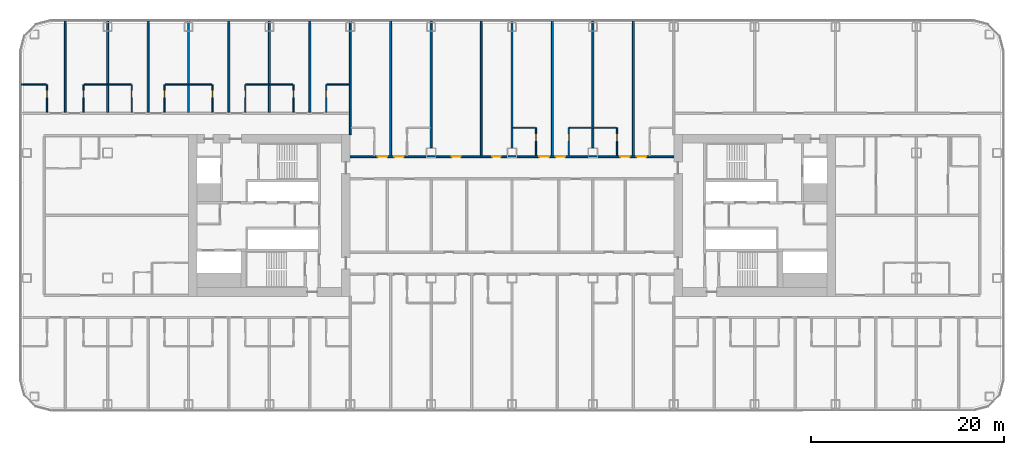
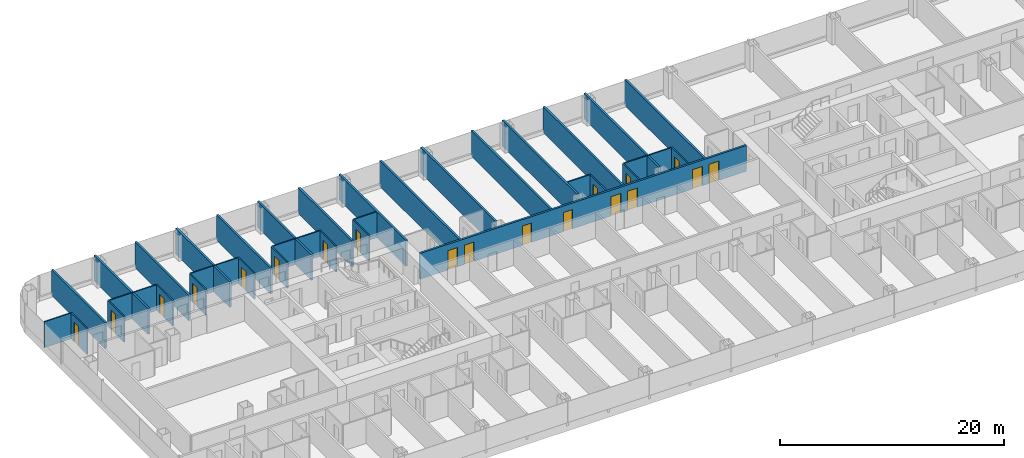
# One storey, part 17 of 29: 34 walls, 19 doors, 19 openings.
"""IFC4 building model written with IfcOpenShell, lengths in metres."""

from ifc_helpers import new_model, si_unit, direction, frame, frame_2d, origin, place, context, subcontext, project, spatial, rectangle, extrude, material, layer, layer_set, type_object, element, fill, save


model = new_model("IFC4")

# Units and contexts
model_context = context("Model", 3, precision=1e-05, world=origin(), true_north=direction((0.0, 1.0)))
body_context = subcontext(model_context, "Body", "Model", "MODEL_VIEW")
ifc_project = project(units=[si_unit("LENGTHUNIT", "METRE"), si_unit("AREAUNIT", "SQUARE_METRE"), si_unit("VOLUMEUNIT", "CUBIC_METRE"), si_unit("PLANEANGLEUNIT", "RADIAN"), si_unit("MASSUNIT", "GRAM", prefix="KILO")], contexts=[model_context])

# Site, building, storey
site_placement = place(None, origin())
site = spatial("IfcSite", under=ifc_project, at=site_placement, CompositionType="ELEMENT")
building_placement = place(site_placement, origin())
building = spatial("IfcBuilding", under=site, at=building_placement, Name="Hakoniwa Tower and Hamabe Station Hall", CompositionType="ELEMENT")
storey_placement = place(building_placement, frame((0.0, 0.0, 55.0)))
storey = spatial("IfcBuildingStorey", under=building, at=storey_placement, Name="L15", CompositionType="ELEMENT", Elevation=55.0)

# Walls
ifc_material_1 = material(Name="Gypsum board partition", Category="gypsum")
ifc_layer_1 = layer(ifc_material_1, 0.125)
ifc_layer_set_1 = layer_set([ifc_layer_1], Name="Bathroom Partition 125")
wall_type_1 = type_object("IfcWallType", Name="Bathroom Partition 125", PredefinedType="PARTITIONING", material=ifc_layer_set_1)
wall_1_placement = place(storey_placement, frame((0.10009765625, 9.10009765625, 0.0), z_axis=(0.0, 0.0, 1.0), x_axis=(1.0, 0.0, 0.0)))
element("IfcWall", 1, at=wall_1_placement, inside=storey, type_object=wall_type_1, Name="GW-L15-037", PredefinedType="PARTITIONING", context=body_context, shape_type="SweptSolid", body=[
    extrude(rectangle(XDim=2.33740234375, YDim=0.125, at=frame_2d((1.168701171875, 0.0))), origin(), (0.0, 0.0, 1.0), 2.800048828125),
])
wall_2_placement = place(storey_placement, frame((5.96240234375, 9.10009765625, 0.0), z_axis=(0.0, 0.0, 1.0), x_axis=(1.0, 0.0, 0.0)))
element("IfcWall", 2, at=wall_2_placement, inside=storey, type_object=wall_type_1, Name="GW-L15-038", PredefinedType="PARTITIONING", context=body_context, shape_type="SweptSolid", body=[
    extrude(rectangle(XDim=4.875, YDim=0.125, at=frame_2d((2.4375, 0.0))), origin(), (0.0, 0.0, 1.0), 2.800048828125),
])
wall_3_placement = place(storey_placement, frame((-51.10009765625, 13.60009765625, 0.0), z_axis=(0.0, 0.0, 1.0), x_axis=(1.0, 0.0, 0.0)))
element("IfcWall", 3, at=wall_3_placement, inside=storey, type_object=wall_type_1, Name="GW-L15-042", PredefinedType="PARTITIONING", context=body_context, shape_type="SweptSolid", body=[
    extrude(rectangle(XDim=2.737548828125, YDim=0.125, at=frame_2d((1.36865234375, 0.0))), origin(), (0.0, 0.0, 1.0), 2.800048828125),
])
for number, where, z_axis, x_axis, name in (
    (4, (-44.4375, 13.60009765625, 0.0), (0.0, 0.0, 1.0), (1.0, 0.0, 0.0), "GW-L15-043"),
    (5, (-36.03759765625, 13.60009765625, 0.0), (0.0, 0.0, 1.0), (1.0, 0.0, 0.0), "GW-L15-044"),
    (6, (-27.637451171875, 13.60009765625, 0.0), (0.0, 0.0, 1.0), (1.0, 0.0, 0.0), "GW-L15-045"),
):
    element("IfcWall", number, at=place(storey_placement, frame(where, z_axis=z_axis, x_axis=x_axis)), inside=storey, type_object=wall_type_1, Name=name, PredefinedType="PARTITIONING", context=body_context, shape_type="SweptSolid", body=[
        extrude(rectangle(XDim=4.875, YDim=0.125, at=frame_2d((2.4375, 0.0))), origin(), (0.0, 0.0, 1.0), 2.800048828125),
    ])
wall_4_placement = place(storey_placement, frame((-19.237548828125, 13.60009765625, 0.0), z_axis=(0.0, 0.0, 1.0), x_axis=(1.0, 0.0, 0.0)))
element("IfcWall", 7, at=wall_4_placement, inside=storey, type_object=wall_type_1, Name="GW-L15-046", PredefinedType="PARTITIONING", context=body_context, shape_type="SweptSolid", body=[
    extrude(rectangle(XDim=2.337646484375, YDim=0.125, at=frame_2d((1.1689453125, 0.0))), origin(), (0.0, 0.0, 1.0), 2.800048828125),
])

# Wall, opening, door
wall_5_placement = place(storey_placement, frame((-48.300048828125, 10.699951171875, 0.0), z_axis=(0.0, 0.0, 1.0), x_axis=(0.0, 1.0, 0.0)))
wall_5 = element("IfcWall", 8, at=wall_5_placement, inside=storey, type_object=wall_type_1, Name="GW-L15-049", PredefinedType="PARTITIONING", context=body_context, shape_type="SweptSolid", body=[
    extrude(rectangle(XDim=2.900146484375, YDim=0.125, at=frame_2d((1.4501953125, 0.0))), origin(), (0.0, 0.0, 1.0), 2.800048828125),
])
opening_1_placement = place(wall_5_placement, frame((1.5, 0.0, 0.0)))
opening_1 = element("IfcOpeningElement", 9, at=opening_1_placement, cuts=wall_5, Name="Opening GD-G1B2-68", PredefinedType="OPENING", context=body_context, shape_type="SweptSolid", body=[
    extrude(rectangle(XDim=0.800048828125, YDim=2.10009765625, at=frame_2d((0.39990234375, 1.050048828125))), frame((0.0, 0.072509765625, 0.0), z_axis=(0.0, -1.0, 0.0), x_axis=(1.0, 0.0, 0.0)), (0.0, 0.0, 1.0), 0.14501953125),
])
ifc_material_2 = material(Name="Timber door leaf", Category="wood")
door_type_1 = type_object("IfcDoorType", Name="Bathroom Door 800", OperationType="SINGLE_SWING_LEFT", PredefinedType="DOOR", material=ifc_material_2)
door_1_placement = place(opening_1_placement, origin())
door_1 = element("IfcDoor", 10, at=door_1_placement, inside=storey, type_object=door_type_1, Name="Door GD-G1B2-68", OperationType="SINGLE_SWING_LEFT", OverallHeight=2.10009765625, OverallWidth=0.800048828125, PredefinedType="DOOR", context=body_context, shape_type="SweptSolid", body=[
    extrude(rectangle(XDim=0.800048828125, YDim=2.10009765625, at=frame_2d((0.39990234375, 1.050048828125))), frame((0.0, 0.02490234375, 0.0), z_axis=(0.0, -1.0, 0.0), x_axis=(1.0, 0.0, 0.0)), (0.0, 0.0, 1.0), 0.050048828125),
])
fill(opening_1, door_1)

wall_6_placement = place(storey_placement, frame((-44.5, 10.699951171875, 0.0), z_axis=(0.0, 0.0, 1.0), x_axis=(0.0, 1.0, 0.0)))
wall_6 = element("IfcWall", 11, at=wall_6_placement, inside=storey, type_object=wall_type_1, Name="GW-L15-054", PredefinedType="PARTITIONING", context=body_context, shape_type="SweptSolid", body=[
    extrude(rectangle(XDim=2.900146484375, YDim=0.125, at=frame_2d((1.4501953125, 0.0))), origin(), (0.0, 0.0, 1.0), 2.800048828125),
])
opening_2_placement = place(wall_6_placement, frame((1.5, 0.0, 0.0)))
opening_2 = element("IfcOpeningElement", 12, at=opening_2_placement, cuts=wall_6, Name="Opening GD-G1B2-70", PredefinedType="OPENING", context=body_context, shape_type="SweptSolid", body=[
    extrude(rectangle(XDim=0.800048828125, YDim=2.10009765625, at=frame_2d((0.39990234375, 1.050048828125))), frame((0.0, 0.072509765625, 0.0), z_axis=(0.0, -1.0, 0.0), x_axis=(1.0, 0.0, 0.0)), (0.0, 0.0, 1.0), 0.14501953125),
])
door_2_placement = place(opening_2_placement, origin())
door_2 = element("IfcDoor", 13, at=door_2_placement, inside=storey, type_object=door_type_1, Name="Door GD-G1B2-70", OperationType="SINGLE_SWING_RIGHT", OverallHeight=2.10009765625, OverallWidth=0.800048828125, PredefinedType="DOOR", context=body_context, shape_type="SweptSolid", body=[
    extrude(rectangle(XDim=0.800048828125, YDim=2.10009765625, at=frame_2d((0.39990234375, 1.050048828125))), frame((0.0, 0.02490234375, 0.0), z_axis=(0.0, -1.0, 0.0), x_axis=(1.0, 0.0, 0.0)), (0.0, 0.0, 1.0), 0.050048828125),
])
fill(opening_2, door_2)

wall_7_placement = place(storey_placement, frame((-39.5, 10.699951171875, 0.0), z_axis=(0.0, 0.0, 1.0), x_axis=(0.0, 1.0, 0.0)))
wall_7 = element("IfcWall", 14, at=wall_7_placement, inside=storey, type_object=wall_type_1, Name="GW-L15-059", PredefinedType="PARTITIONING", context=body_context, shape_type="SweptSolid", body=[
    extrude(rectangle(XDim=2.900146484375, YDim=0.125, at=frame_2d((1.4501953125, 0.0))), origin(), (0.0, 0.0, 1.0), 2.800048828125),
])
opening_3_placement = place(wall_7_placement, frame((1.5, 0.0, 0.0)))
opening_3 = element("IfcOpeningElement", 15, at=opening_3_placement, cuts=wall_7, Name="Opening GD-G1B2-72", PredefinedType="OPENING", context=body_context, shape_type="SweptSolid", body=[
    extrude(rectangle(XDim=0.800048828125, YDim=2.10009765625, at=frame_2d((0.39990234375, 1.050048828125))), frame((0.0, 0.072509765625, 0.0), z_axis=(0.0, -1.0, 0.0), x_axis=(1.0, 0.0, 0.0)), (0.0, 0.0, 1.0), 0.14501953125),
])
door_3_placement = place(opening_3_placement, origin())
door_3 = element("IfcDoor", 16, at=door_3_placement, inside=storey, type_object=door_type_1, Name="Door GD-G1B2-72", OperationType="SINGLE_SWING_LEFT", OverallHeight=2.10009765625, OverallWidth=0.800048828125, PredefinedType="DOOR", context=body_context, shape_type="SweptSolid", body=[
    extrude(rectangle(XDim=0.800048828125, YDim=2.10009765625, at=frame_2d((0.39990234375, 1.050048828125))), frame((0.0, 0.02490234375, 0.0), z_axis=(0.0, -1.0, 0.0), x_axis=(1.0, 0.0, 0.0)), (0.0, 0.0, 1.0), 0.050048828125),
])
fill(opening_3, door_3)

wall_8_placement = place(storey_placement, frame((-36.10009765625, 10.699951171875, 0.0), z_axis=(0.0, 0.0, 1.0), x_axis=(0.0, 1.0, 0.0)))
wall_8 = element("IfcWall", 17, at=wall_8_placement, inside=storey, type_object=wall_type_1, Name="GW-L15-065", PredefinedType="PARTITIONING", context=body_context, shape_type="SweptSolid", body=[
    extrude(rectangle(XDim=2.900146484375, YDim=0.125, at=frame_2d((1.4501953125, 0.0))), origin(), (0.0, 0.0, 1.0), 2.800048828125),
])
opening_4_placement = place(wall_8_placement, frame((1.5, 0.0, 0.0)))
opening_4 = element("IfcOpeningElement", 18, at=opening_4_placement, cuts=wall_8, Name="Opening GD-G1B2-74", PredefinedType="OPENING", context=body_context, shape_type="SweptSolid", body=[
    extrude(rectangle(XDim=0.800048828125, YDim=2.10009765625, at=frame_2d((0.39990234375, 1.050048828125))), frame((0.0, 0.072509765625, 0.0), z_axis=(0.0, -1.0, 0.0), x_axis=(1.0, 0.0, 0.0)), (0.0, 0.0, 1.0), 0.14501953125),
])
door_4_placement = place(opening_4_placement, origin())
door_4 = element("IfcDoor", 19, at=door_4_placement, inside=storey, type_object=door_type_1, Name="Door GD-G1B2-74", OperationType="SINGLE_SWING_RIGHT", OverallHeight=2.10009765625, OverallWidth=0.800048828125, PredefinedType="DOOR", context=body_context, shape_type="SweptSolid", body=[
    extrude(rectangle(XDim=0.800048828125, YDim=2.10009765625, at=frame_2d((0.39990234375, 1.050048828125))), frame((0.0, 0.02490234375, 0.0), z_axis=(0.0, -1.0, 0.0), x_axis=(1.0, 0.0, 0.0)), (0.0, 0.0, 1.0), 0.050048828125),
])
fill(opening_4, door_4)

wall_9_placement = place(storey_placement, frame((-31.10009765625, 10.699951171875, 0.0), z_axis=(0.0, 0.0, 1.0), x_axis=(0.0, 1.0, 0.0)))
wall_9 = element("IfcWall", 20, at=wall_9_placement, inside=storey, type_object=wall_type_1, Name="GW-L15-069", PredefinedType="PARTITIONING", context=body_context, shape_type="SweptSolid", body=[
    extrude(rectangle(XDim=2.900146484375, YDim=0.125, at=frame_2d((1.4501953125, 0.0))), origin(), (0.0, 0.0, 1.0), 2.800048828125),
])
opening_5_placement = place(wall_9_placement, frame((1.5, 0.0, 0.0)))
opening_5 = element("IfcOpeningElement", 21, at=opening_5_placement, cuts=wall_9, Name="Opening GD-G1B2-76", PredefinedType="OPENING", context=body_context, shape_type="SweptSolid", body=[
    extrude(rectangle(XDim=0.800048828125, YDim=2.10009765625, at=frame_2d((0.39990234375, 1.050048828125))), frame((0.0, 0.072509765625, 0.0), z_axis=(0.0, -1.0, 0.0), x_axis=(1.0, 0.0, 0.0)), (0.0, 0.0, 1.0), 0.14501953125),
])
door_5_placement = place(opening_5_placement, origin())
door_5 = element("IfcDoor", 22, at=door_5_placement, inside=storey, type_object=door_type_1, Name="Door GD-G1B2-76", OperationType="SINGLE_SWING_LEFT", OverallHeight=2.10009765625, OverallWidth=0.800048828125, PredefinedType="DOOR", context=body_context, shape_type="SweptSolid", body=[
    extrude(rectangle(XDim=0.800048828125, YDim=2.10009765625, at=frame_2d((0.39990234375, 1.050048828125))), frame((0.0, 0.02490234375, 0.0), z_axis=(0.0, -1.0, 0.0), x_axis=(1.0, 0.0, 0.0)), (0.0, 0.0, 1.0), 0.050048828125),
])
fill(opening_5, door_5)

wall_10_placement = place(storey_placement, frame((-27.699951171875, 10.699951171875, 0.0), z_axis=(0.0, 0.0, 1.0), x_axis=(0.0, 1.0, 0.0)))
wall_10 = element("IfcWall", 23, at=wall_10_placement, inside=storey, type_object=wall_type_1, Name="GW-L15-073", PredefinedType="PARTITIONING", context=body_context, shape_type="SweptSolid", body=[
    extrude(rectangle(XDim=2.900146484375, YDim=0.125, at=frame_2d((1.4501953125, 0.0))), origin(), (0.0, 0.0, 1.0), 2.800048828125),
])
opening_6_placement = place(wall_10_placement, frame((1.5, 0.0, 0.0)))
opening_6 = element("IfcOpeningElement", 24, at=opening_6_placement, cuts=wall_10, Name="Opening GD-G1B2-78", PredefinedType="OPENING", context=body_context, shape_type="SweptSolid", body=[
    extrude(rectangle(XDim=0.800048828125, YDim=2.10009765625, at=frame_2d((0.39990234375, 1.050048828125))), frame((0.0, 0.072509765625, 0.0), z_axis=(0.0, -1.0, 0.0), x_axis=(1.0, 0.0, 0.0)), (0.0, 0.0, 1.0), 0.14501953125),
])
door_6_placement = place(opening_6_placement, origin())
door_6 = element("IfcDoor", 25, at=door_6_placement, inside=storey, type_object=door_type_1, Name="Door GD-G1B2-78", OperationType="SINGLE_SWING_RIGHT", OverallHeight=2.10009765625, OverallWidth=0.800048828125, PredefinedType="DOOR", context=body_context, shape_type="SweptSolid", body=[
    extrude(rectangle(XDim=0.800048828125, YDim=2.10009765625, at=frame_2d((0.39990234375, 1.050048828125))), frame((0.0, 0.02490234375, 0.0), z_axis=(0.0, -1.0, 0.0), x_axis=(1.0, 0.0, 0.0)), (0.0, 0.0, 1.0), 0.050048828125),
])
fill(opening_6, door_6)

wall_11_placement = place(storey_placement, frame((-22.699951171875, 10.699951171875, 0.0), z_axis=(0.0, 0.0, 1.0), x_axis=(0.0, 1.0, 0.0)))
wall_11 = element("IfcWall", 26, at=wall_11_placement, inside=storey, type_object=wall_type_1, Name="GW-L15-077", PredefinedType="PARTITIONING", context=body_context, shape_type="SweptSolid", body=[
    extrude(rectangle(XDim=2.900146484375, YDim=0.125, at=frame_2d((1.4501953125, 0.0))), origin(), (0.0, 0.0, 1.0), 2.800048828125),
])
opening_7_placement = place(wall_11_placement, frame((1.5, 0.0, 0.0)))
opening_7 = element("IfcOpeningElement", 27, at=opening_7_placement, cuts=wall_11, Name="Opening GD-G1B2-80", PredefinedType="OPENING", context=body_context, shape_type="SweptSolid", body=[
    extrude(rectangle(XDim=0.800048828125, YDim=2.10009765625, at=frame_2d((0.39990234375, 1.050048828125))), frame((0.0, 0.072509765625, 0.0), z_axis=(0.0, -1.0, 0.0), x_axis=(1.0, 0.0, 0.0)), (0.0, 0.0, 1.0), 0.14501953125),
])
door_7_placement = place(opening_7_placement, origin())
door_7 = element("IfcDoor", 28, at=door_7_placement, inside=storey, type_object=door_type_1, Name="Door GD-G1B2-80", OperationType="SINGLE_SWING_LEFT", OverallHeight=2.10009765625, OverallWidth=0.800048828125, PredefinedType="DOOR", context=body_context, shape_type="SweptSolid", body=[
    extrude(rectangle(XDim=0.800048828125, YDim=2.10009765625, at=frame_2d((0.39990234375, 1.050048828125))), frame((0.0, 0.02490234375, 0.0), z_axis=(0.0, -1.0, 0.0), x_axis=(1.0, 0.0, 0.0)), (0.0, 0.0, 1.0), 0.050048828125),
])
fill(opening_7, door_7)

wall_12_placement = place(storey_placement, frame((-19.300048828125, 10.699951171875, 0.0), z_axis=(0.0, 0.0, 1.0), x_axis=(0.0, 1.0, 0.0)))
wall_12 = element("IfcWall", 29, at=wall_12_placement, inside=storey, type_object=wall_type_1, Name="GW-L15-081", PredefinedType="PARTITIONING", context=body_context, shape_type="SweptSolid", body=[
    extrude(rectangle(XDim=2.900146484375, YDim=0.125, at=frame_2d((1.4501953125, 0.0))), origin(), (0.0, 0.0, 1.0), 2.800048828125),
])
opening_8_placement = place(wall_12_placement, frame((1.5, 0.0, 0.0)))
opening_8 = element("IfcOpeningElement", 30, at=opening_8_placement, cuts=wall_12, Name="Opening GD-G1B2-82", PredefinedType="OPENING", context=body_context, shape_type="SweptSolid", body=[
    extrude(rectangle(XDim=0.800048828125, YDim=2.10009765625, at=frame_2d((0.39990234375, 1.050048828125))), frame((0.0, 0.072509765625, 0.0), z_axis=(0.0, -1.0, 0.0), x_axis=(1.0, 0.0, 0.0)), (0.0, 0.0, 1.0), 0.14501953125),
])
door_8_placement = place(opening_8_placement, origin())
door_8 = element("IfcDoor", 31, at=door_8_placement, inside=storey, type_object=door_type_1, Name="Door GD-G1B2-82", OperationType="SINGLE_SWING_RIGHT", OverallHeight=2.10009765625, OverallWidth=0.800048828125, PredefinedType="DOOR", context=body_context, shape_type="SweptSolid", body=[
    extrude(rectangle(XDim=0.800048828125, YDim=2.10009765625, at=frame_2d((0.39990234375, 1.050048828125))), frame((0.0, 0.02490234375, 0.0), z_axis=(0.0, -1.0, 0.0), x_axis=(1.0, 0.0, 0.0)), (0.0, 0.0, 1.0), 0.050048828125),
])
fill(opening_8, door_8)

wall_13_placement = place(storey_placement, frame((2.5, 6.199951171875, 0.0), z_axis=(0.0, 0.0, 1.0), x_axis=(0.0, 1.0, 0.0)))
wall_13 = element("IfcWall", 32, at=wall_13_placement, inside=storey, type_object=wall_type_1, Name="GW-L15-102", PredefinedType="PARTITIONING", context=body_context, shape_type="SweptSolid", body=[
    extrude(rectangle(XDim=2.900146484375, YDim=0.125, at=frame_2d((1.4501953125, 0.0))), origin(), (0.0, 0.0, 1.0), 2.800048828125),
])
opening_9_placement = place(wall_13_placement, frame((1.5, 0.0, 0.0)))
opening_9 = element("IfcOpeningElement", 33, at=opening_9_placement, cuts=wall_13, Name="Opening GD-G1B2-89", PredefinedType="OPENING", context=body_context, shape_type="SweptSolid", body=[
    extrude(rectangle(XDim=0.800048828125, YDim=2.10009765625, at=frame_2d((0.39990234375, 1.050048828125))), frame((0.0, 0.072509765625, 0.0), z_axis=(0.0, -1.0, 0.0), x_axis=(1.0, 0.0, 0.0)), (0.0, 0.0, 1.0), 0.14501953125),
])
door_9_placement = place(opening_9_placement, origin())
door_9 = element("IfcDoor", 34, at=door_9_placement, inside=storey, type_object=door_type_1, Name="Door GD-G1B2-89", OperationType="SINGLE_SWING_LEFT", OverallHeight=2.10009765625, OverallWidth=0.800048828125, PredefinedType="DOOR", context=body_context, shape_type="SweptSolid", body=[
    extrude(rectangle(XDim=0.800048828125, YDim=2.10009765625, at=frame_2d((0.39990234375, 1.050048828125))), frame((0.0, 0.02490234375, 0.0), z_axis=(0.0, -1.0, 0.0), x_axis=(1.0, 0.0, 0.0)), (0.0, 0.0, 1.0), 0.050048828125),
])
fill(opening_9, door_9)

wall_14_placement = place(storey_placement, frame((5.89990234375, 6.199951171875, 0.0), z_axis=(0.0, 0.0, 1.0), x_axis=(0.0, 1.0, 0.0)))
wall_14 = element("IfcWall", 35, at=wall_14_placement, inside=storey, type_object=wall_type_1, Name="GW-L15-106", PredefinedType="PARTITIONING", context=body_context, shape_type="SweptSolid", body=[
    extrude(rectangle(XDim=2.900146484375, YDim=0.125, at=frame_2d((1.4501953125, 0.0))), origin(), (0.0, 0.0, 1.0), 2.800048828125),
])
opening_10_placement = place(wall_14_placement, frame((1.5, 0.0, 0.0)))
opening_10 = element("IfcOpeningElement", 36, at=opening_10_placement, cuts=wall_14, Name="Opening GD-G1B2-90", PredefinedType="OPENING", context=body_context, shape_type="SweptSolid", body=[
    extrude(rectangle(XDim=0.800048828125, YDim=2.10009765625, at=frame_2d((0.39990234375, 1.050048828125))), frame((0.0, 0.072509765625, 0.0), z_axis=(0.0, -1.0, 0.0), x_axis=(1.0, 0.0, 0.0)), (0.0, 0.0, 1.0), 0.14501953125),
])
door_10_placement = place(opening_10_placement, origin())
door_10 = element("IfcDoor", 37, at=door_10_placement, inside=storey, type_object=door_type_1, Name="Door GD-G1B2-90", OperationType="SINGLE_SWING_RIGHT", OverallHeight=2.10009765625, OverallWidth=0.800048828125, PredefinedType="DOOR", context=body_context, shape_type="SweptSolid", body=[
    extrude(rectangle(XDim=0.800048828125, YDim=2.10009765625, at=frame_2d((0.39990234375, 1.050048828125))), frame((0.0, 0.02490234375, 0.0), z_axis=(0.0, -1.0, 0.0), x_axis=(1.0, 0.0, 0.0)), (0.0, 0.0, 1.0), 0.050048828125),
])
fill(opening_10, door_10)

wall_15_placement = place(storey_placement, frame((10.89990234375, 6.199951171875, 0.0), z_axis=(0.0, 0.0, 1.0), x_axis=(0.0, 1.0, 0.0)))
wall_15 = element("IfcWall", 38, at=wall_15_placement, inside=storey, type_object=wall_type_1, Name="GW-L15-111", PredefinedType="PARTITIONING", context=body_context, shape_type="SweptSolid", body=[
    extrude(rectangle(XDim=2.900146484375, YDim=0.125, at=frame_2d((1.4501953125, 0.0))), origin(), (0.0, 0.0, 1.0), 2.800048828125),
])
opening_11_placement = place(wall_15_placement, frame((1.5, 0.0, 0.0)))
opening_11 = element("IfcOpeningElement", 39, at=opening_11_placement, cuts=wall_15, Name="Opening GD-G1B2-92", PredefinedType="OPENING", context=body_context, shape_type="SweptSolid", body=[
    extrude(rectangle(XDim=0.800048828125, YDim=2.10009765625, at=frame_2d((0.39990234375, 1.050048828125))), frame((0.0, 0.072509765625, 0.0), z_axis=(0.0, -1.0, 0.0), x_axis=(1.0, 0.0, 0.0)), (0.0, 0.0, 1.0), 0.14501953125),
])
door_11_placement = place(opening_11_placement, origin())
door_11 = element("IfcDoor", 40, at=door_11_placement, inside=storey, type_object=door_type_1, Name="Door GD-G1B2-92", OperationType="SINGLE_SWING_LEFT", OverallHeight=2.10009765625, OverallWidth=0.800048828125, PredefinedType="DOOR", context=body_context, shape_type="SweptSolid", body=[
    extrude(rectangle(XDim=0.800048828125, YDim=2.10009765625, at=frame_2d((0.39990234375, 1.050048828125))), frame((0.0, 0.02490234375, 0.0), z_axis=(0.0, -1.0, 0.0), x_axis=(1.0, 0.0, 0.0)), (0.0, 0.0, 1.0), 0.050048828125),
])
fill(opening_11, door_11)

# Wall, openings, doors
ifc_material_3 = material(Name="Fire-rated gypsum board partition", Category="gypsum")
ifc_layer_2 = layer(ifc_material_3, 0.199951171875)
ifc_layer_set_2 = layer_set([ifc_layer_2], Name="Corridor Wall 200")
wall_type_2 = type_object("IfcWallType", Name="Corridor Wall 200", PredefinedType="PARTITIONING", material=ifc_layer_set_2)
wall_16_placement = place(storey_placement, frame((-16.800048828125, 6.10009765625, 0.0), z_axis=(0.0, 0.0, 1.0), x_axis=(1.0, 0.0, 0.0)))
wall_16 = element("IfcWall", 41, at=wall_16_placement, inside=storey, type_object=wall_type_2, Name="GW-L15-032", PredefinedType="PARTITIONING", context=body_context, shape_type="SweptSolid", body=[
    extrude(rectangle(XDim=33.60009765625, YDim=0.199951171875, at=frame_2d((16.800048828125, 0.0))), origin(), (0.0, 0.0, 1.0), 2.800048828125),
])
opening_12_placement = place(wall_16_placement, frame((2.85009765625, 0.0, 0.0)))
opening_12 = element("IfcOpeningElement", 42, at=opening_12_placement, cuts=wall_16, Name="Opening GD-G1B2-44", PredefinedType="OPENING", context=body_context, shape_type="SweptSolid", body=[
    extrude(rectangle(XDim=1.0, YDim=2.10009765625, at=frame_2d((0.5, 1.050048828125))), frame((0.0, 0.10986328125, 0.0), z_axis=(0.0, -1.0, 0.0), x_axis=(1.0, 0.0, 0.0)), (0.0, 0.0, 1.0), 0.219970703125),
])
opening_13_placement = place(wall_16_placement, frame((4.550048828125, 0.0, 0.0)))
opening_13 = element("IfcOpeningElement", 43, at=opening_13_placement, cuts=wall_16, Name="Opening GD-G1B2-45", PredefinedType="OPENING", context=body_context, shape_type="SweptSolid", body=[
    extrude(rectangle(XDim=1.0, YDim=2.10009765625, at=frame_2d((0.5, 1.050048828125))), frame((0.0, 0.10986328125, 0.0), z_axis=(0.0, -1.0, 0.0), x_axis=(1.0, 0.0, 0.0)), (0.0, 0.0, 1.0), 0.219970703125),
])
opening_14_placement = place(wall_16_placement, frame((10.554931640625, 0.0, 0.0)))
opening_14 = element("IfcOpeningElement", 44, at=opening_14_placement, cuts=wall_16, Name="Opening GD-G1B2-46", PredefinedType="OPENING", context=body_context, shape_type="SweptSolid", body=[
    extrude(rectangle(XDim=0.89990234375, YDim=2.10009765625, at=frame_2d((0.449951171875, 1.050048828125))), frame((0.0, 0.10986328125, 0.0), z_axis=(0.0, -1.0, 0.0), x_axis=(1.0, 0.0, 0.0)), (0.0, 0.0, 1.0), 0.219970703125),
])
opening_15_placement = place(wall_16_placement, frame((14.7548828125, 0.0, 0.0)))
opening_15 = element("IfcOpeningElement", 45, at=opening_15_placement, cuts=wall_16, Name="Opening GD-G1B2-47", PredefinedType="OPENING", context=body_context, shape_type="SweptSolid", body=[
    extrude(rectangle(XDim=0.89990234375, YDim=2.10009765625, at=frame_2d((0.449951171875, 1.050048828125))), frame((0.0, 0.10986328125, 0.0), z_axis=(0.0, -1.0, 0.0), x_axis=(1.0, 0.0, 0.0)), (0.0, 0.0, 1.0), 0.219970703125),
])
opening_16_placement = place(wall_16_placement, frame((19.64990234375, 0.0, 0.0)))
opening_16 = element("IfcOpeningElement", 46, at=opening_16_placement, cuts=wall_16, Name="Opening GD-G1B2-48", PredefinedType="OPENING", context=body_context, shape_type="SweptSolid", body=[
    extrude(rectangle(XDim=1.0, YDim=2.10009765625, at=frame_2d((0.5, 1.050048828125))), frame((0.0, 0.10986328125, 0.0), z_axis=(0.0, -1.0, 0.0), x_axis=(1.0, 0.0, 0.0)), (0.0, 0.0, 1.0), 0.219970703125),
])
opening_17_placement = place(wall_16_placement, frame((21.35009765625, 0.0, 0.0)))
opening_17 = element("IfcOpeningElement", 47, at=opening_17_placement, cuts=wall_16, Name="Opening GD-G1B2-49", PredefinedType="OPENING", context=body_context, shape_type="SweptSolid", body=[
    extrude(rectangle(XDim=1.0, YDim=2.10009765625, at=frame_2d((0.5, 1.050048828125))), frame((0.0, 0.10986328125, 0.0), z_axis=(0.0, -1.0, 0.0), x_axis=(1.0, 0.0, 0.0)), (0.0, 0.0, 1.0), 0.219970703125),
])
opening_18_placement = place(wall_16_placement, frame((28.050048828125, 0.0, 0.0)))
opening_18 = element("IfcOpeningElement", 48, at=opening_18_placement, cuts=wall_16, Name="Opening GD-G1B2-50", PredefinedType="OPENING", context=body_context, shape_type="SweptSolid", body=[
    extrude(rectangle(XDim=1.0, YDim=2.10009765625, at=frame_2d((0.5, 1.050048828125))), frame((0.0, 0.10986328125, 0.0), z_axis=(0.0, -1.0, 0.0), x_axis=(1.0, 0.0, 0.0)), (0.0, 0.0, 1.0), 0.219970703125),
])
opening_19_placement = place(wall_16_placement, frame((29.75, 0.0, 0.0)))
opening_19 = element("IfcOpeningElement", 49, at=opening_19_placement, cuts=wall_16, Name="Opening GD-G1B2-51", PredefinedType="OPENING", context=body_context, shape_type="SweptSolid", body=[
    extrude(rectangle(XDim=1.0, YDim=2.10009765625, at=frame_2d((0.5, 1.050048828125))), frame((0.0, 0.10986328125, 0.0), z_axis=(0.0, -1.0, 0.0), x_axis=(1.0, 0.0, 0.0)), (0.0, 0.0, 1.0), 0.219970703125),
])
ifc_material_4 = material(Name="Timber door leaf", Category="wood")
door_type_2 = type_object("IfcDoorType", Name="Guest Entrance Door 1000", OperationType="SINGLE_SWING_LEFT", PredefinedType="DOOR", material=ifc_material_4)
door_12_placement = place(opening_12_placement, origin())
door_12 = element("IfcDoor", 50, at=door_12_placement, inside=storey, type_object=door_type_2, Name="Door GD-G1B2-44", OperationType="SINGLE_SWING_LEFT", OverallHeight=2.10009765625, OverallWidth=1.0, PredefinedType="DOOR", context=body_context, shape_type="SweptSolid", body=[
    extrude(rectangle(XDim=1.0, YDim=2.10009765625, at=frame_2d((0.5, 1.050048828125))), frame((0.0, 0.02490234375, 0.0), z_axis=(0.0, -1.0, 0.0), x_axis=(1.0, 0.0, 0.0)), (0.0, 0.0, 1.0), 0.050048828125),
])
fill(opening_12, door_12)
door_13_placement = place(opening_13_placement, origin())
door_13 = element("IfcDoor", 51, at=door_13_placement, inside=storey, type_object=door_type_2, Name="Door GD-G1B2-45", OperationType="SINGLE_SWING_RIGHT", OverallHeight=2.10009765625, OverallWidth=1.0, PredefinedType="DOOR", context=body_context, shape_type="SweptSolid", body=[
    extrude(rectangle(XDim=1.0, YDim=2.10009765625, at=frame_2d((0.5, 1.050048828125))), frame((0.0, 0.02490234375, 0.0), z_axis=(0.0, -1.0, 0.0), x_axis=(1.0, 0.0, 0.0)), (0.0, 0.0, 1.0), 0.050048828125),
])
fill(opening_13, door_13)
door_14_placement = place(opening_16_placement, origin())
door_14 = element("IfcDoor", 52, at=door_14_placement, inside=storey, type_object=door_type_2, Name="Door GD-G1B2-48", OperationType="SINGLE_SWING_LEFT", OverallHeight=2.10009765625, OverallWidth=1.0, PredefinedType="DOOR", context=body_context, shape_type="SweptSolid", body=[
    extrude(rectangle(XDim=1.0, YDim=2.10009765625, at=frame_2d((0.5, 1.050048828125))), frame((0.0, 0.02490234375, 0.0), z_axis=(0.0, -1.0, 0.0), x_axis=(1.0, 0.0, 0.0)), (0.0, 0.0, 1.0), 0.050048828125),
])
fill(opening_16, door_14)
door_15_placement = place(opening_17_placement, origin())
door_15 = element("IfcDoor", 53, at=door_15_placement, inside=storey, type_object=door_type_2, Name="Door GD-G1B2-49", OperationType="SINGLE_SWING_RIGHT", OverallHeight=2.10009765625, OverallWidth=1.0, PredefinedType="DOOR", context=body_context, shape_type="SweptSolid", body=[
    extrude(rectangle(XDim=1.0, YDim=2.10009765625, at=frame_2d((0.5, 1.050048828125))), frame((0.0, 0.02490234375, 0.0), z_axis=(0.0, -1.0, 0.0), x_axis=(1.0, 0.0, 0.0)), (0.0, 0.0, 1.0), 0.050048828125),
])
fill(opening_17, door_15)
door_16_placement = place(opening_18_placement, origin())
door_16 = element("IfcDoor", 54, at=door_16_placement, inside=storey, type_object=door_type_2, Name="Door GD-G1B2-50", OperationType="SINGLE_SWING_RIGHT", OverallHeight=2.10009765625, OverallWidth=1.0, PredefinedType="DOOR", context=body_context, shape_type="SweptSolid", body=[
    extrude(rectangle(XDim=1.0, YDim=2.10009765625, at=frame_2d((0.5, 1.050048828125))), frame((0.0, 0.02490234375, 0.0), z_axis=(0.0, -1.0, 0.0), x_axis=(1.0, 0.0, 0.0)), (0.0, 0.0, 1.0), 0.050048828125),
])
fill(opening_18, door_16)
door_17_placement = place(opening_19_placement, origin())
door_17 = element("IfcDoor", 55, at=door_17_placement, inside=storey, type_object=door_type_2, Name="Door GD-G1B2-51", OperationType="SINGLE_SWING_LEFT", OverallHeight=2.10009765625, OverallWidth=1.0, PredefinedType="DOOR", context=body_context, shape_type="SweptSolid", body=[
    extrude(rectangle(XDim=1.0, YDim=2.10009765625, at=frame_2d((0.5, 1.050048828125))), frame((0.0, 0.02490234375, 0.0), z_axis=(0.0, -1.0, 0.0), x_axis=(1.0, 0.0, 0.0)), (0.0, 0.0, 1.0), 0.050048828125),
])
fill(opening_19, door_17)
ifc_material_5 = material(Name="Timber door leaf", Category="wood")
door_type_3 = type_object("IfcDoorType", Name="Service Door 900", OperationType="SINGLE_SWING_LEFT", PredefinedType="DOOR", material=ifc_material_5)
door_18_placement = place(opening_14_placement, origin())
door_18 = element("IfcDoor", 56, at=door_18_placement, inside=storey, type_object=door_type_3, Name="Door GD-G1B2-46", OperationType="SINGLE_SWING_LEFT", OverallHeight=2.10009765625, OverallWidth=0.89990234375, PredefinedType="DOOR", context=body_context, shape_type="SweptSolid", body=[
    extrude(rectangle(XDim=0.89990234375, YDim=2.10009765625, at=frame_2d((0.449951171875, 1.050048828125))), frame((0.0, 0.02490234375, 0.0), z_axis=(0.0, -1.0, 0.0), x_axis=(1.0, 0.0, 0.0)), (0.0, 0.0, 1.0), 0.050048828125),
])
fill(opening_14, door_18)
door_19_placement = place(opening_15_placement, origin())
door_19 = element("IfcDoor", 57, at=door_19_placement, inside=storey, type_object=door_type_3, Name="Door GD-G1B2-47", OperationType="SINGLE_SWING_RIGHT", OverallHeight=2.10009765625, OverallWidth=0.89990234375, PredefinedType="DOOR", context=body_context, shape_type="SweptSolid", body=[
    extrude(rectangle(XDim=0.89990234375, YDim=2.10009765625, at=frame_2d((0.449951171875, 1.050048828125))), frame((0.0, 0.02490234375, 0.0), z_axis=(0.0, -1.0, 0.0), x_axis=(1.0, 0.0, 0.0)), (0.0, 0.0, 1.0), 0.050048828125),
])
fill(opening_15, door_19)

# Walls
ifc_material_6 = material(Name="Fire-rated gypsum board partition", Category="gypsum")
ifc_layer_3 = layer(ifc_material_6, 0.199951171875)
ifc_layer_set_3 = layer_set([ifc_layer_3], Name="Party Wall 200")
wall_type_3 = type_object("IfcWallType", Name="Party Wall 200", PredefinedType="PARTITIONING", material=ifc_layer_set_3)
for number, where, z_axis, x_axis, name in (
    (58, (-46.39990234375, 10.699951171875, 0.0), (0.0, 0.0, 1.0), (0.0, 1.0, 0.0), "GW-L15-051"),
    (59, (-42.0, 10.699951171875, 0.0), (0.0, 0.0, 1.0), (0.0, 1.0, 0.0), "GW-L15-057"),
    (60, (-37.800048828125, 10.699951171875, 0.0), (0.0, 0.0, 1.0), (0.0, 1.0, 0.0), "GW-L15-062"),
    (61, (-33.60009765625, 10.699951171875, 0.0), (0.0, 0.0, 1.0), (0.0, 1.0, 0.0), "GW-L15-067"),
    (62, (-29.39990234375, 10.699951171875, 0.0), (0.0, 0.0, 1.0), (0.0, 1.0, 0.0), "GW-L15-071"),
    (63, (-25.199951171875, 10.699951171875, 0.0), (0.0, 0.0, 1.0), (0.0, 1.0, 0.0), "GW-L15-075"),
    (64, (-21.0, 10.699951171875, 0.0), (0.0, 0.0, 1.0), (0.0, 1.0, 0.0), "GW-L15-079"),
):
    element("IfcWall", number, at=place(storey_placement, frame(where, z_axis=z_axis, x_axis=x_axis)), inside=storey, type_object=wall_type_3, Name=name, PredefinedType="PARTITIONING", context=body_context, shape_type="SweptSolid", body=[
        extrude(rectangle(XDim=9.60009765625, YDim=0.199951171875, at=frame_2d((4.800048828125, 0.0))), origin(), (0.0, 0.0, 1.0), 2.800048828125),
    ])
wall_17_placement = place(storey_placement, frame((-16.800048828125, 8.389892578125, 0.0), z_axis=(0.0, 0.0, 1.0), x_axis=(0.0, 1.0, 0.0)))
element("IfcWall", 65, at=wall_17_placement, inside=storey, type_object=wall_type_3, Name="GW-L15-083", PredefinedType="PARTITIONING", context=body_context, shape_type="SweptSolid", body=[
    extrude(rectangle(XDim=11.91015625, YDim=0.199951171875, at=frame_2d((5.955078125, 0.0))), origin(), (0.0, 0.0, 1.0), 2.800048828125),
])
wall_18_placement = place(storey_placement, frame((-12.60009765625, 6.199951171875, 0.0), z_axis=(0.0, 0.0, 1.0), x_axis=(0.0, 1.0, 0.0)))
element("IfcWall", 66, at=wall_18_placement, inside=storey, type_object=wall_type_3, Name="GW-L15-088", PredefinedType="PARTITIONING", context=body_context, shape_type="SweptSolid", body=[
    extrude(rectangle(XDim=14.10009765625, YDim=0.199951171875, at=frame_2d((7.050048828125, 0.0))), origin(), (0.0, 0.0, 1.0), 2.800048828125),
])
wall_19_placement = place(storey_placement, frame((-8.39990234375, 6.989990234375, 0.0), z_axis=(0.0, 0.0, 1.0), x_axis=(0.0, 1.0, 0.0)))
element("IfcWall", 67, at=wall_19_placement, inside=storey, type_object=wall_type_3, Name="GW-L15-093", PredefinedType="PARTITIONING", context=body_context, shape_type="SweptSolid", body=[
    extrude(rectangle(XDim=13.31005859375, YDim=0.199951171875, at=frame_2d((6.655029296875, 0.0))), origin(), (0.0, 0.0, 1.0), 2.800048828125),
])
wall_20_placement = place(storey_placement, frame((-3.18994140625, 6.199951171875, 0.0), z_axis=(0.0, 0.0, 1.0), x_axis=(0.0, 1.0, 0.0)))
element("IfcWall", 68, at=wall_20_placement, inside=storey, type_object=wall_type_3, Name="GW-L15-097", PredefinedType="PARTITIONING", context=body_context, shape_type="SweptSolid", body=[
    extrude(rectangle(XDim=14.10009765625, YDim=0.199951171875, at=frame_2d((7.050048828125, 0.0))), origin(), (0.0, 0.0, 1.0), 2.800048828125),
])
wall_21_placement = place(storey_placement, frame((0.0, 6.989990234375, 0.0), z_axis=(0.0, 0.0, 1.0), x_axis=(0.0, 1.0, 0.0)))
element("IfcWall", 69, at=wall_21_placement, inside=storey, type_object=wall_type_3, Name="GW-L15-101", PredefinedType="PARTITIONING", context=body_context, shape_type="SweptSolid", body=[
    extrude(rectangle(XDim=13.31005859375, YDim=0.199951171875, at=frame_2d((6.655029296875, 0.0))), origin(), (0.0, 0.0, 1.0), 2.800048828125),
])
wall_22_placement = place(storey_placement, frame((4.199951171875, 6.199951171875, 0.0), z_axis=(0.0, 0.0, 1.0), x_axis=(0.0, 1.0, 0.0)))
element("IfcWall", 70, at=wall_22_placement, inside=storey, type_object=wall_type_3, Name="GW-L15-103", PredefinedType="PARTITIONING", context=body_context, shape_type="SweptSolid", body=[
    extrude(rectangle(XDim=14.10009765625, YDim=0.199951171875, at=frame_2d((7.050048828125, 0.0))), origin(), (0.0, 0.0, 1.0), 2.800048828125),
])
wall_23_placement = place(storey_placement, frame((8.39990234375, 6.989990234375, 0.0), z_axis=(0.0, 0.0, 1.0), x_axis=(0.0, 1.0, 0.0)))
element("IfcWall", 71, at=wall_23_placement, inside=storey, type_object=wall_type_3, Name="GW-L15-109", PredefinedType="PARTITIONING", context=body_context, shape_type="SweptSolid", body=[
    extrude(rectangle(XDim=13.31005859375, YDim=0.199951171875, at=frame_2d((6.655029296875, 0.0))), origin(), (0.0, 0.0, 1.0), 2.800048828125),
])
wall_24_placement = place(storey_placement, frame((12.60009765625, 6.199951171875, 0.0), z_axis=(0.0, 0.0, 1.0), x_axis=(0.0, 1.0, 0.0)))
element("IfcWall", 72, at=wall_24_placement, inside=storey, type_object=wall_type_3, Name="GW-L15-114", PredefinedType="PARTITIONING", context=body_context, shape_type="SweptSolid", body=[
    extrude(rectangle(XDim=14.10009765625, YDim=0.199951171875, at=frame_2d((7.050048828125, 0.0))), origin(), (0.0, 0.0, 1.0), 2.800048828125),
])

save(model, "model.ifc")
